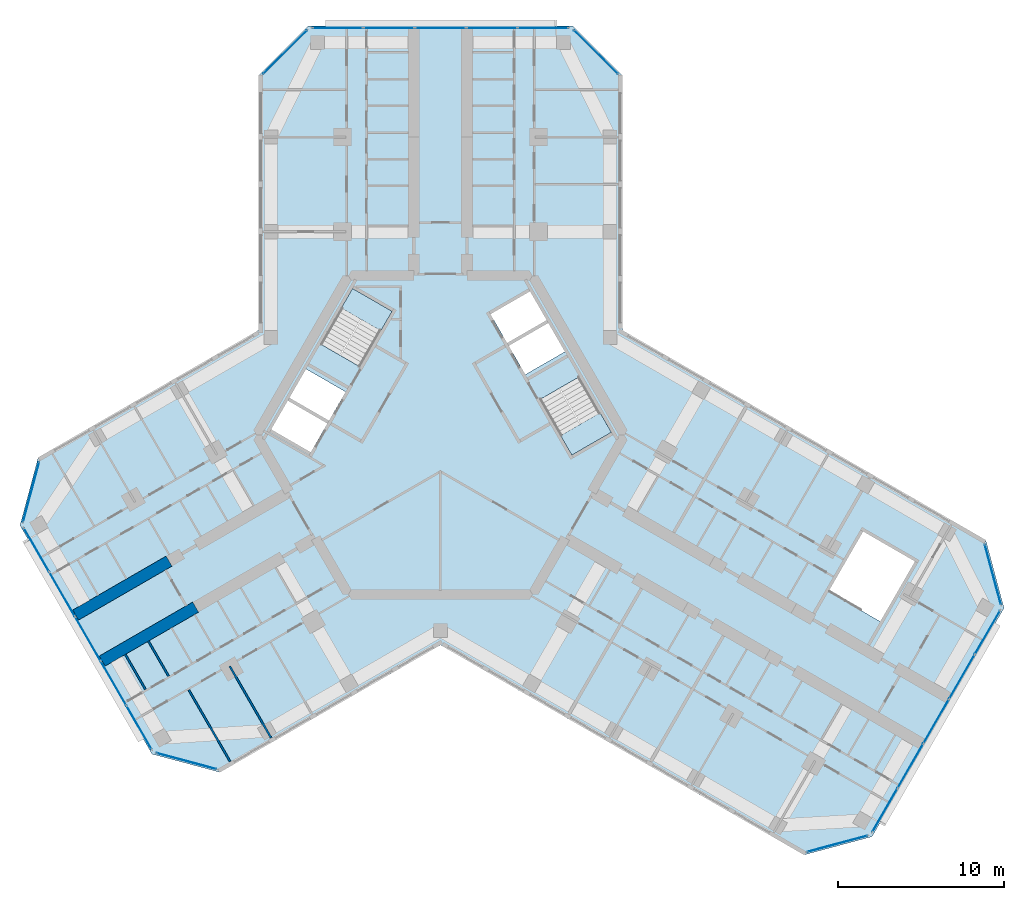
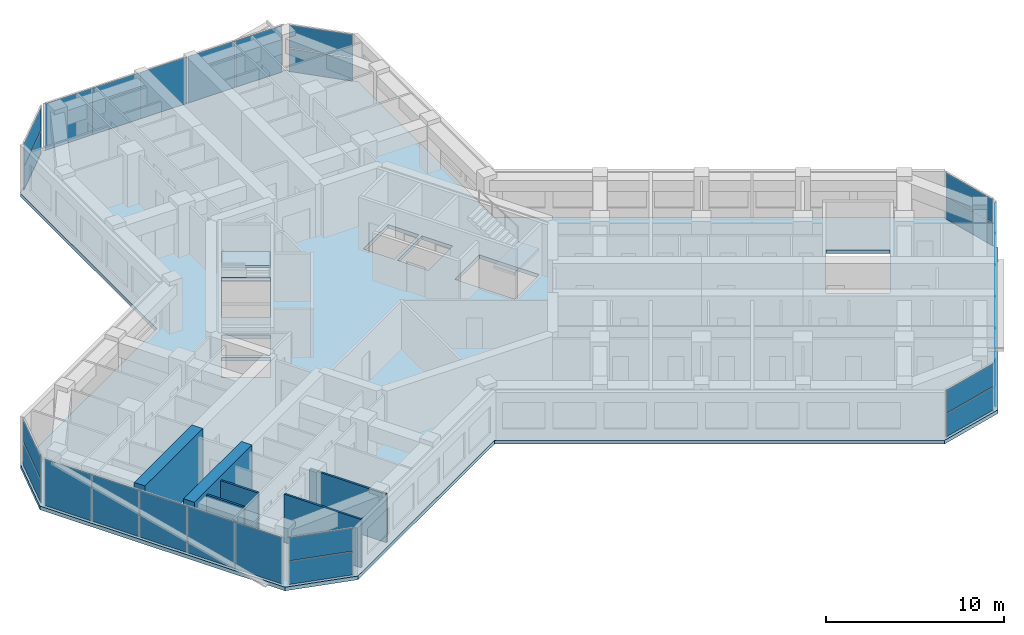
# One storey, part 7 of 16: 27 plates, 6 walls, 3 slabs, 11 elements without a shape of their own.
"""IFC4 building model written with IfcOpenShell, lengths in metres."""

from ifc_helpers import new_model, si_unit, direction, frame, frame_2d, origin, origin_2d, place, context, subcontext, project, spatial, polyline, rectangle, outline, extrude, material, layer, layer_set, type_object, element, aggregate, save


model = new_model("IFC4")

# Units and contexts
model_context = context("Model", 3, precision=1e-05, world=origin(), true_north=direction((0.0, 1.0)))
body_context = subcontext(model_context, "Body", "Model", "MODEL_VIEW")
ifc_project = project(units=[si_unit("LENGTHUNIT", "METRE"), si_unit("AREAUNIT", "SQUARE_METRE"), si_unit("VOLUMEUNIT", "CUBIC_METRE"), si_unit("PLANEANGLEUNIT", "RADIAN"), si_unit("MASSUNIT", "GRAM", prefix="KILO")], contexts=[model_context])

# Site, building, storey
site_placement = place(None, origin())
site = spatial("IfcSite", under=ifc_project, at=site_placement, CompositionType="ELEMENT")
building_placement = place(site_placement, origin())
building = spatial("IfcBuilding", under=site, at=building_placement, Name="Kosmar Iwan School Tower", CompositionType="ELEMENT")
storey_placement = place(building_placement, frame((0.0, 0.0, 256.800048828125)))
storey = spatial("IfcBuildingStorey", under=building, at=storey_placement, Name="L65", CompositionType="ELEMENT", Elevation=256.800048828125)

# Curtain wall, plates
ifc_material_1 = material(Name="Dark glass in black aluminium frame", Category="aluminium")
curtain_wall_type_1 = type_object("IfcCurtainWallType", Name="Chamfer curtain wall dark glass", PredefinedType="USERDEFINED", material=ifc_material_1)
curtain_wall_1_placement = place(storey_placement, origin())
curtain_wall_1 = element("IfcCurtainWall", 1, at=curtain_wall_1_placement, inside=storey, type_object=curtain_wall_type_1, Name="Curtain wall L65-F00", ObjectType="FACETED CURTAIN WALL", PredefinedType="USERDEFINED")
ifc_material_2 = material(Name="Dark glass", Category="glass")
ifc_layer_1 = layer(ifc_material_2, 0.028076171875)
ifc_layer_set_1 = layer_set([ifc_layer_1], Name="Dark glass panel 28")
plate_type = type_object("IfcPlateType", Name="Dark glass panel 28", PredefinedType="CURTAIN_PANEL", material=ifc_layer_set_1)
plate_1_placement = place(storey_placement, frame((23.908203125, -24.61328125, 0.059814453125), z_axis=(0.0, 0.0, 1.0), x_axis=(0.965925875495, 0.258818861462, 0.0)))
plate_1 = element("IfcPlate", 2, at=plate_1_placement, type_object=plate_type, Name="CW2 panel 1.1", PredefinedType="CURTAIN_PANEL", context=body_context, shape_type="SweptSolid", body=[
    extrude(rectangle(XDim=3.718994140625, YDim=0.028076171875, at=origin_2d()), origin(), (0.0, 0.0, 1.0), 1.56005859375),
])
plate_2_placement = place(storey_placement, frame((23.908203125, -24.61328125, 1.679931640625), z_axis=(0.0, 0.0, 1.0), x_axis=(0.965925875495, 0.258818861462, 0.0)))
plate_2 = element("IfcPlate", 3, at=plate_2_placement, type_object=plate_type, Name="CW2 panel 1.2", PredefinedType="CURTAIN_PANEL", context=body_context, shape_type="SweptSolid", body=[
    extrude(rectangle(XDim=3.718994140625, YDim=0.028076171875, at=origin_2d()), origin(), (0.0, 0.0, 1.0), 1.56005859375),
])
aggregate(curtain_wall_1, [plate_1, plate_2])

ifc_material_3 = material(Name="Dark glass in black aluminium frame", Category="aluminium")
curtain_wall_type_2 = type_object("IfcCurtainWallType", Name="Tower curtain wall dark glass", PredefinedType="USERDEFINED", material=ifc_material_3)
curtain_wall_2_placement = place(storey_placement, origin())
curtain_wall_2 = element("IfcCurtainWall", 4, at=curtain_wall_2_placement, inside=storey, type_object=curtain_wall_type_2, Name="Curtain wall L65-F01", ObjectType="UNITISED CURTAIN WALL", PredefinedType="USERDEFINED")
plate_3_placement = place(storey_placement, frame((26.764404296875, -22.592529296875, 0.06005859375), z_axis=(0.0, 0.0, 1.0), x_axis=(0.499999997325, 0.866025405329, 0.0)))
plate_3 = element("IfcPlate", 5, at=plate_3_placement, type_object=plate_type, Name="CW1 panel 1.1", PredefinedType="CURTAIN_PANEL", context=body_context, shape_type="SweptSolid", body=[
    extrude(rectangle(XDim=3.00927734375, YDim=0.028076171875, at=origin_2d()), origin(), (0.0, 0.0, 1.0), 3.179931640625),
])
plate_4_placement = place(storey_placement, frame((28.306640625, -19.921630859375, 0.06005859375), z_axis=(0.0, 0.0, 1.0), x_axis=(0.499999997325, 0.866025405329, 0.0)))
plate_4 = element("IfcPlate", 6, at=plate_4_placement, type_object=plate_type, Name="CW1 panel 2.1", PredefinedType="CURTAIN_PANEL", context=body_context, shape_type="SweptSolid", body=[
    extrude(rectangle(XDim=3.039306640625, YDim=0.028076171875, at=origin_2d()), origin(), (0.0, 0.0, 1.0), 3.179931640625),
])
plate_5_placement = place(storey_placement, frame((29.856201171875, -17.237548828125, 0.06005859375), z_axis=(0.0, 0.0, 1.0), x_axis=(0.499999997325, 0.866025405329, 0.0)))
plate_5 = element("IfcPlate", 7, at=plate_5_placement, type_object=plate_type, Name="CW1 panel 3.1", PredefinedType="CURTAIN_PANEL", context=body_context, shape_type="SweptSolid", body=[
    extrude(rectangle(XDim=3.039306640625, YDim=0.028076171875, at=origin_2d()), origin(), (0.0, 0.0, 1.0), 3.179931640625),
])
plate_6_placement = place(storey_placement, frame((31.40576171875, -14.553466796875, 0.06005859375), z_axis=(0.0, 0.0, 1.0), x_axis=(0.499999997325, 0.866025405329, 0.0)))
plate_6 = element("IfcPlate", 8, at=plate_6_placement, type_object=plate_type, Name="CW1 panel 4.1", PredefinedType="CURTAIN_PANEL", context=body_context, shape_type="SweptSolid", body=[
    extrude(rectangle(XDim=3.039306640625, YDim=0.028076171875, at=origin_2d()), origin(), (0.0, 0.0, 1.0), 3.179931640625),
])
plate_7_placement = place(storey_placement, frame((32.947998046875, -11.88232421875, 0.06005859375), z_axis=(0.0, 0.0, 1.0), x_axis=(0.499999997325, 0.866025405329, 0.0)))
plate_7 = element("IfcPlate", 9, at=plate_7_placement, type_object=plate_type, Name="CW1 panel 5.1", PredefinedType="CURTAIN_PANEL", context=body_context, shape_type="SweptSolid", body=[
    extrude(rectangle(XDim=3.00927734375, YDim=0.028076171875, at=origin_2d()), origin(), (0.0, 0.0, 1.0), 3.179931640625),
])
aggregate(curtain_wall_2, [plate_3, plate_4, plate_5, plate_6, plate_7])

curtain_wall_3_placement = place(storey_placement, origin())
curtain_wall_3 = element("IfcCurtainWall", 10, at=curtain_wall_3_placement, inside=storey, type_object=curtain_wall_type_1, Name="Curtain wall L65-F02", ObjectType="FACETED CURTAIN WALL", PredefinedType="USERDEFINED")
plate_8_placement = place(storey_placement, frame((33.269775390625, -8.3984375, 0.059814453125), z_axis=(0.0, 0.0, 1.0), x_axis=(-0.258818861462, 0.965925875495, 0.0)))
plate_8 = element("IfcPlate", 11, at=plate_8_placement, type_object=plate_type, Name="CW2 panel 1.1", PredefinedType="CURTAIN_PANEL", context=body_context, shape_type="SweptSolid", body=[
    extrude(rectangle(XDim=3.718994140625, YDim=0.028076171875, at=origin_2d()), origin(), (0.0, 0.0, 1.0), 1.56005859375),
])
plate_9_placement = place(storey_placement, frame((33.269775390625, -8.3984375, 1.679931640625), z_axis=(0.0, 0.0, 1.0), x_axis=(-0.258818861462, 0.965925875495, 0.0)))
plate_9 = element("IfcPlate", 12, at=plate_9_placement, type_object=plate_type, Name="CW2 panel 1.2", PredefinedType="CURTAIN_PANEL", context=body_context, shape_type="SweptSolid", body=[
    extrude(rectangle(XDim=3.718994140625, YDim=0.028076171875, at=origin_2d()), origin(), (0.0, 0.0, 1.0), 1.56005859375),
])
aggregate(curtain_wall_3, [plate_8, plate_9])

curtain_wall_4_placement = place(storey_placement, origin())
curtain_wall_4 = element("IfcCurtainWall", 13, at=curtain_wall_4_placement, inside=storey, type_object=curtain_wall_type_1, Name="Curtain wall L65-F05", ObjectType="FACETED CURTAIN WALL", PredefinedType="USERDEFINED")
plate_10_placement = place(storey_placement, frame((9.361572265625, 23.0615234375, 0.059814453125), z_axis=(0.0, 0.0, 1.0), x_axis=(-0.707106781187, 0.707106781187, 0.0)))
plate_10 = element("IfcPlate", 14, at=plate_10_placement, type_object=plate_type, Name="CW2 panel 1.1", PredefinedType="CURTAIN_PANEL", context=body_context, shape_type="SweptSolid", body=[
    extrude(rectangle(XDim=3.718994140625, YDim=0.028076171875, at=origin_2d()), origin(), (0.0, 0.0, 1.0), 1.56005859375),
])
plate_11_placement = place(storey_placement, frame((9.361572265625, 23.0615234375, 1.679931640625), z_axis=(0.0, 0.0, 1.0), x_axis=(-0.707106781187, 0.707106781187, 0.0)))
plate_11 = element("IfcPlate", 15, at=plate_11_placement, type_object=plate_type, Name="CW2 panel 1.2", PredefinedType="CURTAIN_PANEL", context=body_context, shape_type="SweptSolid", body=[
    extrude(rectangle(XDim=3.718994140625, YDim=0.028076171875, at=origin_2d()), origin(), (0.0, 0.0, 1.0), 1.56005859375),
])
aggregate(curtain_wall_4, [plate_10, plate_11])

curtain_wall_5_placement = place(storey_placement, origin())
curtain_wall_5 = element("IfcCurtainWall", 16, at=curtain_wall_5_placement, inside=storey, type_object=curtain_wall_type_2, Name="Curtain wall L65-F06", ObjectType="UNITISED CURTAIN WALL", PredefinedType="USERDEFINED")
plate_12_placement = place(storey_placement, frame((6.18359375, 24.52490234375, 0.06005859375), z_axis=(0.0, 0.0, 1.0), x_axis=(-1.0, 0.0, 0.0)))
plate_12 = element("IfcPlate", 17, at=plate_12_placement, type_object=plate_type, Name="CW1 panel 1.1", PredefinedType="CURTAIN_PANEL", context=body_context, shape_type="SweptSolid", body=[
    extrude(rectangle(XDim=3.00927734375, YDim=0.028076171875, at=origin_2d()), origin(), (0.0, 0.0, 1.0), 3.179931640625),
])
plate_13_placement = place(storey_placement, frame((3.099365234375, 24.52490234375, 0.06005859375), z_axis=(0.0, 0.0, 1.0), x_axis=(-1.0, 0.0, 0.0)))
plate_13 = element("IfcPlate", 18, at=plate_13_placement, type_object=plate_type, Name="CW1 panel 2.1", PredefinedType="CURTAIN_PANEL", context=body_context, shape_type="SweptSolid", body=[
    extrude(rectangle(XDim=3.039306640625, YDim=0.028076171875, at=origin_2d()), origin(), (0.0, 0.0, 1.0), 3.179931640625),
])
plate_14_placement = place(storey_placement, frame((0.0, 24.52490234375, 0.06005859375), z_axis=(0.0, 0.0, 1.0), x_axis=(-1.0, 0.0, 0.0)))
plate_14 = element("IfcPlate", 19, at=plate_14_placement, type_object=plate_type, Name="CW1 panel 3.1", PredefinedType="CURTAIN_PANEL", context=body_context, shape_type="SweptSolid", body=[
    extrude(rectangle(XDim=3.039306640625, YDim=0.028076171875, at=origin_2d()), origin(), (0.0, 0.0, 1.0), 3.179931640625),
])
plate_15_placement = place(storey_placement, frame((-3.099365234375, 24.52490234375, 0.06005859375), z_axis=(0.0, 0.0, 1.0), x_axis=(-1.0, 0.0, 0.0)))
plate_15 = element("IfcPlate", 20, at=plate_15_placement, type_object=plate_type, Name="CW1 panel 4.1", PredefinedType="CURTAIN_PANEL", context=body_context, shape_type="SweptSolid", body=[
    extrude(rectangle(XDim=3.039306640625, YDim=0.028076171875, at=origin_2d()), origin(), (0.0, 0.0, 1.0), 3.179931640625),
])
plate_16_placement = place(storey_placement, frame((-6.18359375, 24.52490234375, 0.06005859375), z_axis=(0.0, 0.0, 1.0), x_axis=(-1.0, 0.0, 0.0)))
plate_16 = element("IfcPlate", 21, at=plate_16_placement, type_object=plate_type, Name="CW1 panel 5.1", PredefinedType="CURTAIN_PANEL", context=body_context, shape_type="SweptSolid", body=[
    extrude(rectangle(XDim=3.00927734375, YDim=0.028076171875, at=origin_2d()), origin(), (0.0, 0.0, 1.0), 3.179931640625),
])
aggregate(curtain_wall_5, [plate_12, plate_13, plate_14, plate_15, plate_16])

curtain_wall_6_placement = place(storey_placement, origin())
curtain_wall_6 = element("IfcCurtainWall", 22, at=curtain_wall_6_placement, inside=storey, type_object=curtain_wall_type_1, Name="Curtain wall L65-F07", ObjectType="FACETED CURTAIN WALL", PredefinedType="USERDEFINED")
plate_17_placement = place(storey_placement, frame((-9.361572265625, 23.0615234375, 0.059814453125), z_axis=(0.0, 0.0, 1.0), x_axis=(-0.707106781187, -0.707106781187, 0.0)))
plate_17 = element("IfcPlate", 23, at=plate_17_placement, type_object=plate_type, Name="CW2 panel 1.1", PredefinedType="CURTAIN_PANEL", context=body_context, shape_type="SweptSolid", body=[
    extrude(rectangle(XDim=3.718994140625, YDim=0.028076171875, at=origin_2d()), origin(), (0.0, 0.0, 1.0), 1.56005859375),
])
plate_18_placement = place(storey_placement, frame((-9.361572265625, 23.0615234375, 1.679931640625), z_axis=(0.0, 0.0, 1.0), x_axis=(-0.707106781187, -0.707106781187, 0.0)))
plate_18 = element("IfcPlate", 24, at=plate_18_placement, type_object=plate_type, Name="CW2 panel 1.2", PredefinedType="CURTAIN_PANEL", context=body_context, shape_type="SweptSolid", body=[
    extrude(rectangle(XDim=3.718994140625, YDim=0.028076171875, at=origin_2d()), origin(), (0.0, 0.0, 1.0), 1.56005859375),
])
aggregate(curtain_wall_6, [plate_17, plate_18])

curtain_wall_7_placement = place(storey_placement, origin())
curtain_wall_7 = element("IfcCurtainWall", 25, at=curtain_wall_7_placement, inside=storey, type_object=curtain_wall_type_1, Name="Curtain wall L65-F10", ObjectType="FACETED CURTAIN WALL", PredefinedType="USERDEFINED")
plate_19_placement = place(storey_placement, frame((-24.65283203125, -3.42333984375, 0.059814453125), z_axis=(0.0, 0.0, 1.0), x_axis=(-0.258818861462, -0.965925875495, 0.0)))
plate_19 = element("IfcPlate", 26, at=plate_19_placement, type_object=plate_type, Name="CW2 panel 1.1", PredefinedType="CURTAIN_PANEL", context=body_context, shape_type="SweptSolid", body=[
    extrude(rectangle(XDim=3.718994140625, YDim=0.028076171875, at=origin_2d()), origin(), (0.0, 0.0, 1.0), 1.56005859375),
])
plate_20_placement = place(storey_placement, frame((-24.65283203125, -3.42333984375, 1.679931640625), z_axis=(0.0, 0.0, 1.0), x_axis=(-0.258818861462, -0.965925875495, 0.0)))
plate_20 = element("IfcPlate", 27, at=plate_20_placement, type_object=plate_type, Name="CW2 panel 1.2", PredefinedType="CURTAIN_PANEL", context=body_context, shape_type="SweptSolid", body=[
    extrude(rectangle(XDim=3.718994140625, YDim=0.028076171875, at=origin_2d()), origin(), (0.0, 0.0, 1.0), 1.56005859375),
])
aggregate(curtain_wall_7, [plate_19, plate_20])

curtain_wall_8_placement = place(storey_placement, origin())
curtain_wall_8 = element("IfcCurtainWall", 28, at=curtain_wall_8_placement, inside=storey, type_object=curtain_wall_type_2, Name="Curtain wall L65-F11", ObjectType="UNITISED CURTAIN WALL", PredefinedType="USERDEFINED")
plate_21_placement = place(storey_placement, frame((-24.3310546875, -6.907470703125, 0.06005859375), z_axis=(0.0, 0.0, 1.0), x_axis=(0.499999997325, -0.866025405329, 0.0)))
plate_21 = element("IfcPlate", 29, at=plate_21_placement, type_object=plate_type, Name="CW1 panel 1.1", PredefinedType="CURTAIN_PANEL", context=body_context, shape_type="SweptSolid", body=[
    extrude(rectangle(XDim=3.00927734375, YDim=0.028076171875, at=origin_2d()), origin(), (0.0, 0.0, 1.0), 3.179931640625),
])
plate_22_placement = place(storey_placement, frame((-22.788818359375, -9.578369140625, 0.06005859375), z_axis=(0.0, 0.0, 1.0), x_axis=(0.499999997325, -0.866025405329, 0.0)))
plate_22 = element("IfcPlate", 30, at=plate_22_placement, type_object=plate_type, Name="CW1 panel 2.1", PredefinedType="CURTAIN_PANEL", context=body_context, shape_type="SweptSolid", body=[
    extrude(rectangle(XDim=3.039306640625, YDim=0.028076171875, at=origin_2d()), origin(), (0.0, 0.0, 1.0), 3.179931640625),
])
plate_23_placement = place(storey_placement, frame((-21.2392578125, -12.262451171875, 0.06005859375), z_axis=(0.0, 0.0, 1.0), x_axis=(0.499999997325, -0.866025405329, 0.0)))
plate_23 = element("IfcPlate", 31, at=plate_23_placement, type_object=plate_type, Name="CW1 panel 3.1", PredefinedType="CURTAIN_PANEL", context=body_context, shape_type="SweptSolid", body=[
    extrude(rectangle(XDim=3.039306640625, YDim=0.028076171875, at=origin_2d()), origin(), (0.0, 0.0, 1.0), 3.179931640625),
])
plate_24_placement = place(storey_placement, frame((-19.689697265625, -14.946533203125, 0.06005859375), z_axis=(0.0, 0.0, 1.0), x_axis=(0.499999997325, -0.866025405329, 0.0)))
plate_24 = element("IfcPlate", 32, at=plate_24_placement, type_object=plate_type, Name="CW1 panel 4.1", PredefinedType="CURTAIN_PANEL", context=body_context, shape_type="SweptSolid", body=[
    extrude(rectangle(XDim=3.039306640625, YDim=0.028076171875, at=origin_2d()), origin(), (0.0, 0.0, 1.0), 3.179931640625),
])
plate_25_placement = place(storey_placement, frame((-18.1474609375, -17.61767578125, 0.06005859375), z_axis=(0.0, 0.0, 1.0), x_axis=(0.499999997325, -0.866025405329, 0.0)))
plate_25 = element("IfcPlate", 33, at=plate_25_placement, type_object=plate_type, Name="CW1 panel 5.1", PredefinedType="CURTAIN_PANEL", context=body_context, shape_type="SweptSolid", body=[
    extrude(rectangle(XDim=3.00927734375, YDim=0.028076171875, at=origin_2d()), origin(), (0.0, 0.0, 1.0), 3.179931640625),
])
aggregate(curtain_wall_8, [plate_21, plate_22, plate_23, plate_24, plate_25])

curtain_wall_9_placement = place(storey_placement, origin())
curtain_wall_9 = element("IfcCurtainWall", 34, at=curtain_wall_9_placement, inside=storey, type_object=curtain_wall_type_1, Name="Curtain wall L65-F12", ObjectType="FACETED CURTAIN WALL", PredefinedType="USERDEFINED")
plate_26_placement = place(storey_placement, frame((-15.291015625, -19.63818359375, 0.059814453125), z_axis=(0.0, 0.0, 1.0), x_axis=(0.965925875495, -0.258818861462, 0.0)))
plate_26 = element("IfcPlate", 35, at=plate_26_placement, type_object=plate_type, Name="CW2 panel 1.1", PredefinedType="CURTAIN_PANEL", context=body_context, shape_type="SweptSolid", body=[
    extrude(rectangle(XDim=3.718994140625, YDim=0.028076171875, at=origin_2d()), origin(), (0.0, 0.0, 1.0), 1.56005859375),
])
plate_27_placement = place(storey_placement, frame((-15.291015625, -19.63818359375, 1.679931640625), z_axis=(0.0, 0.0, 1.0), x_axis=(0.965925875495, -0.258818861462, 0.0)))
plate_27 = element("IfcPlate", 36, at=plate_27_placement, type_object=plate_type, Name="CW2 panel 1.2", PredefinedType="CURTAIN_PANEL", context=body_context, shape_type="SweptSolid", body=[
    extrude(rectangle(XDim=3.718994140625, YDim=0.028076171875, at=origin_2d()), origin(), (0.0, 0.0, 1.0), 1.56005859375),
])
aggregate(curtain_wall_9, [plate_26, plate_27])

# Slab
ifc_material_4 = material(Name="Concrete C35/45", Category="concrete")
ifc_layer_2 = layer(ifc_material_4, 0.25)
ifc_layer_set_2 = layer_set([ifc_layer_2], Name="Floor slab 250")
slab_type_1 = type_object("IfcSlabType", Name="Floor slab 250", PredefinedType="FLOOR", material=ifc_layer_set_2)
slab_1_placement = place(storey_placement, frame((0.0, 0.0, -0.25)))
element("IfcSlab", 37, at=slab_1_placement, inside=storey, type_object=slab_type_1, Name="L65 floor slab", PredefinedType="FLOOR", context=body_context, shape_type="SweptSolid", body=[
    extrude(outline(polyline([(21.891357421875, -25.282958984375), (25.989501953125, -24.184814453125), (33.939453125, -10.4150390625), (32.84130859375, -6.317138671875), (10.949951171875, 6.322021484375), (10.949951171875, 21.64990234375), (7.949951171875, 24.64990234375), (-7.949951171875, 24.64990234375), (-10.949951171875, 21.64990234375), (-10.949951171875, 6.322021484375), (-24.224365234375, -1.342041015625), (-25.322509765625, -5.440185546875), (-17.37255859375, -19.2099609375), (-13.2744140625, -20.307861328125), (0.0, -12.64404296875), (21.891357421875, -25.282958984375)]), holes=[polyline([(7.91259765625, -1.205078125), (10.294189453125, 0.169921875), (8.3642578125, 3.5126953125), (5.982666015625, 2.1376953125), (7.91259765625, -1.205078125)]), polyline([(-2.91259765625, 7.455078125), (-5.294189453125, 8.830078125), (-7.22412109375, 5.4873046875), (-4.8427734375, 4.1123046875), (-2.91259765625, 7.455078125)]), polyline([(-5.712646484375, 2.60546875), (-8.09423828125, 3.98046875), (-9.09423828125, 2.248291015625), (-6.712646484375, 0.873291015625), (-5.712646484375, 2.60546875)]), polyline([(-6.812744140625, 0.7001953125), (-9.1943359375, 2.0751953125), (-10.1943359375, 0.343017578125), (-7.812744140625, -1.031982421875), (-6.812744140625, 0.7001953125)]), polyline([(5.112548828125, 3.64453125), (7.494140625, 5.01953125), (6.494140625, 6.751708984375), (4.112548828125, 5.376708984375), (5.112548828125, 3.64453125)]), polyline([(4.0126953125, 5.5498046875), (6.394287109375, 6.9248046875), (5.394287109375, 8.656982421875), (3.0126953125, 7.281982421875), (4.0126953125, 5.5498046875)]), polyline([(23.367431640625, -9.426513671875), (26.485107421875, -11.2265625), (28.574951171875, -7.606689453125), (25.457275390625, -5.806640625), (23.367431640625, -9.426513671875)])]), origin(), (0.0, 0.0, 1.0), 0.25),
])

# Stair, slab
ifc_material_5 = material(Name="Concrete C35/45", Category="concrete")
stair_type = type_object("IfcStairType", Name="Core stair 2750", PredefinedType="HALF_TURN_STAIR", material=ifc_material_5)
stair_1_placement = place(storey_placement, origin())
stair_1 = element("IfcStair", 38, at=stair_1_placement, inside=storey, type_object=stair_type, Name="Stair ST2 L65", PredefinedType="HALF_TURN_STAIR")
ifc_material_6 = material(Name="Concrete C35/45", Category="concrete")
ifc_layer_3 = layer(ifc_material_6, 0.199951171875)
ifc_layer_set_3 = layer_set([ifc_layer_3], Name="Stair landing 200")
slab_type_2 = type_object("IfcSlabType", Name="Stair landing 200", PredefinedType="LANDING", material=ifc_layer_set_3)
slab_2_placement = place(storey_placement, frame((0.0, 0.0, 1.599853515625)))
slab_2 = element("IfcSlab", 39, at=slab_2_placement, type_object=slab_type_2, Name="ST2 landing 1", PredefinedType="LANDING", context=body_context, shape_type="SweptSolid", body=[
    extrude(outline(polyline([(-2.91259765625, 7.455078125), (-5.294189453125, 8.830078125), (-5.97412109375, 7.65234375), (-3.5927734375, 6.27734375), (-2.91259765625, 7.455078125)])), origin(), (0.0, 0.0, 1.0), 0.2001953125),
])
aggregate(stair_1, [slab_2])

stair_2_placement = place(storey_placement, origin())
stair_2 = element("IfcStair", 40, at=stair_2_placement, inside=storey, type_object=stair_type, Name="Stair ST1 L65", PredefinedType="HALF_TURN_STAIR")
slab_3_placement = place(storey_placement, frame((0.0, 0.0, 1.599853515625)))
slab_3 = element("IfcSlab", 41, at=slab_3_placement, type_object=slab_type_2, Name="ST1 landing 1", PredefinedType="LANDING", context=body_context, shape_type="SweptSolid", body=[
    extrude(outline(polyline([(7.91259765625, -1.205078125), (10.294189453125, 0.169921875), (9.6142578125, 1.34765625), (7.232666015625, -0.02734375), (7.91259765625, -1.205078125)])), origin(), (0.0, 0.0, 1.0), 0.2001953125),
])
aggregate(stair_2, [slab_3])

# Walls
ifc_material_7 = material(Name="Concrete C50/60", Category="concrete")
ifc_layer_4 = layer(ifc_material_7, 0.699951171875)
ifc_layer_set_4 = layer_set([ifc_layer_4], Name="Corridor buttress wall 700")
wall_type_1 = type_object("IfcWallType", Name="Corridor buttress wall 700", PredefinedType="SHEAR", material=ifc_layer_set_4)
wall_1_placement = place(storey_placement, frame((-14.7451171875, -10.360595703125, 0.0), z_axis=(0.0, 0.0, 1.0), x_axis=(-0.866027848477, -0.499995765644, 0.0)))
element("IfcWall", 42, at=wall_1_placement, inside=storey, type_object=wall_type_1, Name="Corridor wall BL bay 2", PredefinedType="SHEAR", context=body_context, shape_type="SweptSolid", body=[
    extrude(rectangle(XDim=6.4951171875, YDim=0.699951171875, at=frame_2d((3.24755859375, 0.0))), origin(), (0.0, 0.0, 1.0), 3.599853515625),
])
wall_2_placement = place(storey_placement, frame((-16.34521484375, -7.58935546875, 0.0), z_axis=(0.0, 0.0, 1.0), x_axis=(-0.866018451174, -0.500012042081, 0.0)))
element("IfcWall", 43, at=wall_2_placement, inside=storey, type_object=wall_type_1, Name="Corridor wall BR bay 2", PredefinedType="SHEAR", context=body_context, shape_type="SweptSolid", body=[
    extrude(rectangle(XDim=6.494873046875, YDim=0.699951171875, at=frame_2d((3.24755859375, 0.0))), origin(), (0.0, 0.0, 1.0), 3.599853515625),
])
ifc_material_8 = material(Name="Gypsum board on steel studs", Category="steel")
ifc_layer_5 = layer(ifc_material_8, 0.1201171875)
ifc_layer_set_5 = layer_set([ifc_layer_5], Name="Dwelling partition 120")
wall_type_2 = type_object("IfcWallType", Name="Dwelling partition 120", PredefinedType="PARTITIONING", material=ifc_layer_set_5)
for number, where, z_axis, x_axis, name in (
    (44, (-12.690185546875, -13.919921875, 0.0), (0.0, 0.0, 1.0), (0.500011847778, -0.866018563358, 0.0), "Partition L65-BL1-X2"),
    (45, (-15.158447265625, -15.344970703125, 0.0), (0.0, 0.0, 1.0), (0.500011847778, -0.866018563358, 0.0), "Partition L65-BL1-X3"),
):
    element("IfcWall", number, at=place(storey_placement, frame(where, z_axis=z_axis, x_axis=x_axis)), inside=storey, type_object=wall_type_2, Name=name, PredefinedType="PARTITIONING", context=body_context, shape_type="SweptSolid", body=[
        extrude(rectangle(XDim=4.990234375, YDim=0.1201171875, at=frame_2d((2.4951171875, 0.0))), origin(), (0.0, 0.0, 1.0), 3.300048828125),
    ])
wall_3_placement = place(storey_placement, frame((-17.589599609375, -12.406982421875, 0.0), z_axis=(0.0, 0.0, 1.0), x_axis=(0.499959183527, -0.866048967903, 0.0)))
element("IfcWall", 46, at=wall_3_placement, inside=storey, type_object=wall_type_2, Name="Partition L65-BL1-Y6", PredefinedType="PARTITIONING", context=body_context, shape_type="SweptSolid", body=[
    extrude(rectangle(XDim=2.440185546875, YDim=0.1201171875, at=frame_2d((1.22021484375, 0.0))), origin(), (0.0, 0.0, 1.0), 3.300048828125),
])
wall_4_placement = place(storey_placement, frame((-18.981201171875, -13.21044921875, 0.0), z_axis=(0.0, 0.0, 1.0), x_axis=(0.500077547548, -0.865980627057, 0.0)))
element("IfcWall", 47, at=wall_4_placement, inside=storey, type_object=wall_type_2, Name="Partition L65-BL1-Y7", PredefinedType="PARTITIONING", context=body_context, shape_type="SweptSolid", body=[
    extrude(rectangle(XDim=2.43994140625, YDim=0.1201171875, at=frame_2d((1.219970703125, 0.0))), origin(), (0.0, 0.0, 1.0), 3.300048828125),
])

save(model, "model.ifc")
